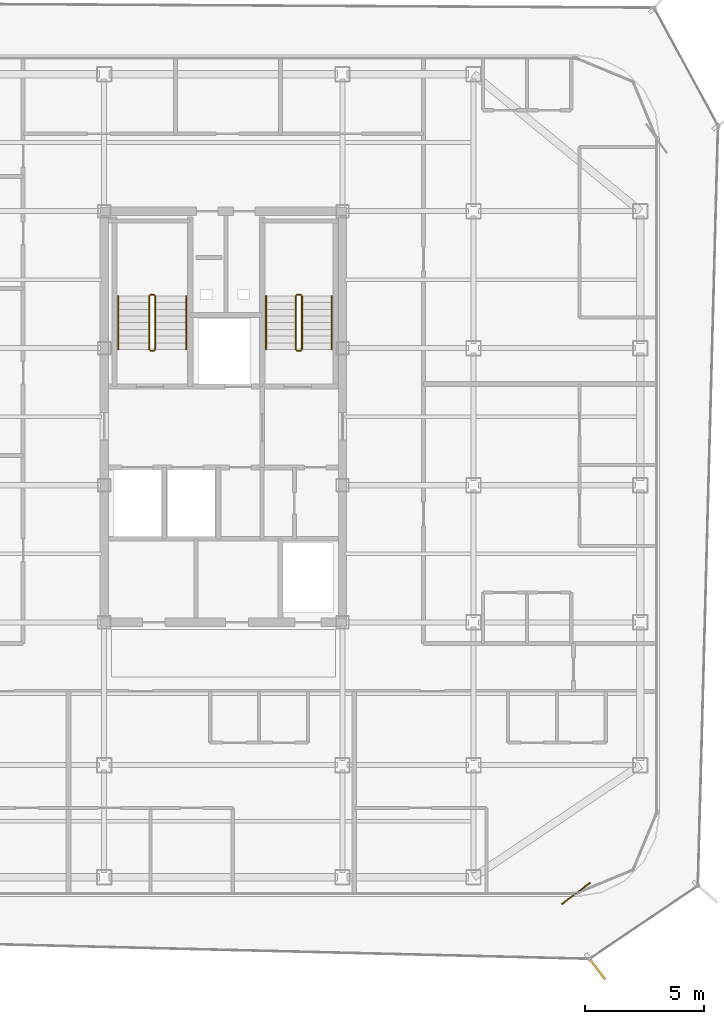
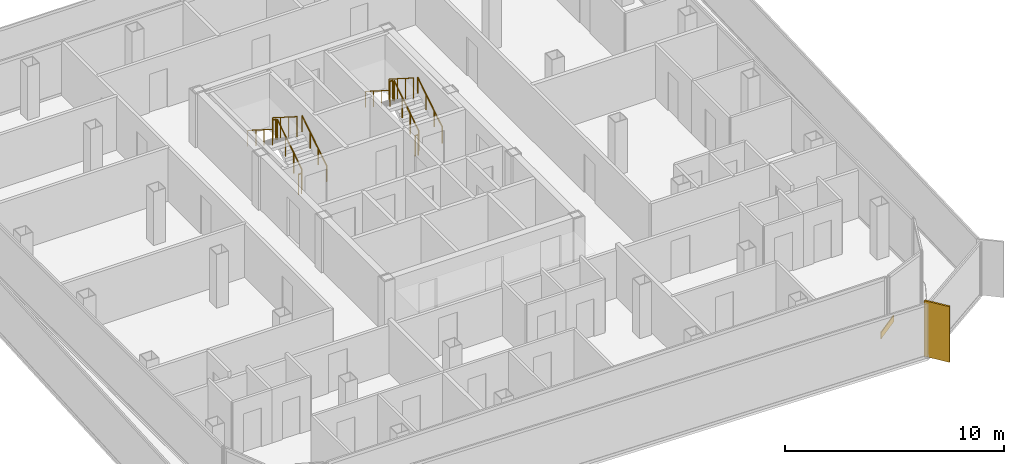
# One storey, part 14 of 15: 12 railings, 1 covering, 1 shading device.
"""IFC4 building model written with IfcOpenShell, lengths in metres."""

from ifc_helpers import new_model, si_unit, direction, frame, origin, origin_2d, place, context, subcontext, project, spatial, rectangle, circle, extrude, source, transform, mapped, material, layer, layer_set, type_object, element, save


model = new_model("IFC4")

# Units and contexts
model_context = context("Model", 3, precision=1e-05, world=origin(), true_north=direction((0.0, 1.0)))
body_context = subcontext(model_context, "Body", "Model", "MODEL_VIEW")
ifc_project = project(units=[si_unit("LENGTHUNIT", "METRE"), si_unit("AREAUNIT", "SQUARE_METRE"), si_unit("VOLUMEUNIT", "CUBIC_METRE"), si_unit("PLANEANGLEUNIT", "RADIAN"), si_unit("MASSUNIT", "GRAM", prefix="KILO")], contexts=[model_context])

# Site, building, storey
site_placement = place(None, origin())
site = spatial("IfcSite", under=ifc_project, at=site_placement, CompositionType="ELEMENT")
building_placement = place(site_placement, origin())
building = spatial("IfcBuilding", under=site, at=building_placement, Name="Kolveth Station Tower", CompositionType="ELEMENT")
storey_placement = place(building_placement, frame((0.0, 0.0, 252.10009765625)))
storey = spatial("IfcBuildingStorey", under=building, at=storey_placement, Name="L72", CompositionType="ELEMENT", Elevation=252.10009765625)

# Railings
ifc_material_1 = material(Name="Painted Steel S355 balustrade", Category="steel")
railing_type_1 = type_object("IfcRailingType", Name="Guard_GR2", PredefinedType="BALUSTRADE", material=ifc_material_1)
railing_1_placement = place(storey_placement, frame((20.64990234375, 22.949951171875, 0.177734375)))
element("IfcRailing", 1, at=railing_1_placement, inside=storey, type_object=railing_type_1, Name="L72 ST1 stair guard 1", PredefinedType="BALUSTRADE", context=body_context, shape_type="SweptSolid", body=[
    extrude(circle(Radius=0.02392578125, at=origin_2d()), frame((0.0, 0.0, 1.1259765625), z_axis=(0.0, 0.8442293374, 0.53598211339), x_axis=(-1.0, 0.0, 0.0)), (0.0, 0.0, 1.0), 2.6533203125),
    extrude(circle(Radius=0.02099609375, at=origin_2d()), origin(), (0.0, 0.0, 1.0), 1.101806640625),
    extrude(circle(Radius=0.02099609375, at=origin_2d()), frame((0.0, 0.74658203125, 0.47412109375)), (0.0, 0.0, 1.0), 1.101806640625),
    extrude(circle(Radius=0.02099609375, at=origin_2d()), frame((0.0, 1.493408203125, 0.947998046875)), (0.0, 0.0, 1.0), 1.101806640625),
    extrude(circle(Radius=0.02099609375, at=origin_2d()), frame((0.0, 2.239990234375, 1.422119140625)), (0.0, 0.0, 1.0), 1.101806640625),
])
railing_2_placement = place(storey_placement, frame((20.60009765625, 25.239990234375, 1.599853515625)))
element("IfcRailing", 2, at=railing_2_placement, inside=storey, type_object=railing_type_1, Name="L72 ST1 stair guard 2", PredefinedType="BALUSTRADE", context=body_context, shape_type="SweptSolid", body=[
    extrude(circle(Radius=0.02392578125, at=origin_2d()), frame((0.0, 0.0, 1.1259765625), z_axis=(-1.0, 0.0, 0.0), x_axis=(0.0, -1.0, 0.0)), (0.0, 0.0, 1.0), 0.16015625),
    extrude(circle(Radius=0.02099609375, at=origin_2d()), origin(), (0.0, 0.0, 1.0), 1.101806640625),
    extrude(circle(Radius=0.02099609375, at=origin_2d()), frame((-0.16015625, 0.0, 0.0)), (0.0, 0.0, 1.0), 1.101806640625),
])
railing_3_placement = place(storey_placement, frame((20.389892578125, 25.18994140625, 1.777587890625)))
element("IfcRailing", 3, at=railing_3_placement, inside=storey, type_object=railing_type_1, Name="L72 ST1 stair guard 3", PredefinedType="BALUSTRADE", context=body_context, shape_type="SweptSolid", body=[
    extrude(circle(Radius=0.02392578125, at=origin_2d()), frame((0.0, 0.0, 1.1259765625), z_axis=(0.0, -0.84418770128, 0.536047689118), x_axis=(1.0, 0.0, 0.0)), (0.0, 0.0, 1.0), 2.6533203125),
    extrude(circle(Radius=0.02099609375, at=origin_2d()), origin(), (0.0, 0.0, 1.0), 1.101806640625),
    extrude(circle(Radius=0.02099609375, at=origin_2d()), frame((0.0, -0.74658203125, 0.47412109375)), (0.0, 0.0, 1.0), 1.101806640625),
    extrude(circle(Radius=0.02099609375, at=origin_2d()), frame((0.0, -1.493408203125, 0.9482421875)), (0.0, 0.0, 1.0), 1.101806640625),
    extrude(circle(Radius=0.02099609375, at=origin_2d()), frame((0.0, -2.239990234375, 1.42236328125)), (0.0, 0.0, 1.0), 1.101806640625),
])
railing_4_placement = place(storey_placement, frame((20.60009765625, 22.89990234375, 0.0)))
element("IfcRailing", 4, at=railing_4_placement, inside=storey, type_object=railing_type_1, Name="L72 ST1 stair guard 4", PredefinedType="BALUSTRADE", context=body_context, shape_type="SweptSolid", body=[
    extrude(circle(Radius=0.02392578125, at=origin_2d()), frame((0.0, 0.0, 1.1259765625), z_axis=(-1.0, 0.0, 0.0), x_axis=(0.0, -1.0, 0.0)), (0.0, 0.0, 1.0), 0.16015625),
    extrude(circle(Radius=0.02099609375, at=origin_2d()), origin(), (0.0, 0.0, 1.0), 1.101806640625),
    extrude(circle(Radius=0.02099609375, at=origin_2d()), frame((-0.16015625, 0.0, 0.0)), (0.0, 0.0, 1.0), 1.101806640625),
])
railing_5_placement = place(storey_placement, frame((26.800048828125, 22.949951171875, 0.177734375)))
element("IfcRailing", 5, at=railing_5_placement, inside=storey, type_object=railing_type_1, Name="L72 ST2 stair guard 1", PredefinedType="BALUSTRADE", context=body_context, shape_type="SweptSolid", body=[
    extrude(circle(Radius=0.02392578125, at=origin_2d()), frame((0.0, 0.0, 1.1259765625), z_axis=(0.0, 0.8442293374, 0.53598211339), x_axis=(-1.0, 0.0, 0.0)), (0.0, 0.0, 1.0), 2.6533203125),
    extrude(circle(Radius=0.02099609375, at=origin_2d()), origin(), (0.0, 0.0, 1.0), 1.101806640625),
    extrude(circle(Radius=0.02099609375, at=origin_2d()), frame((0.0, 0.74658203125, 0.47412109375)), (0.0, 0.0, 1.0), 1.101806640625),
    extrude(circle(Radius=0.02099609375, at=origin_2d()), frame((0.0, 1.493408203125, 0.947998046875)), (0.0, 0.0, 1.0), 1.101806640625),
    extrude(circle(Radius=0.02099609375, at=origin_2d()), frame((0.0, 2.239990234375, 1.422119140625)), (0.0, 0.0, 1.0), 1.101806640625),
])
railing_6_placement = place(storey_placement, frame((26.75, 25.239990234375, 1.599853515625)))
element("IfcRailing", 6, at=railing_6_placement, inside=storey, type_object=railing_type_1, Name="L72 ST2 stair guard 2", PredefinedType="BALUSTRADE", context=body_context, shape_type="SweptSolid", body=[
    extrude(circle(Radius=0.02392578125, at=origin_2d()), frame((0.0, 0.0, 1.1259765625), z_axis=(-1.0, 0.0, 0.0), x_axis=(0.0, -1.0, 0.0)), (0.0, 0.0, 1.0), 0.159912109375),
    extrude(circle(Radius=0.02099609375, at=origin_2d()), origin(), (0.0, 0.0, 1.0), 1.101806640625),
    extrude(circle(Radius=0.02099609375, at=origin_2d()), frame((-0.159912109375, 0.0, 0.0)), (0.0, 0.0, 1.0), 1.101806640625),
])
railing_7_placement = place(storey_placement, frame((26.5400390625, 25.18994140625, 1.777587890625)))
element("IfcRailing", 7, at=railing_7_placement, inside=storey, type_object=railing_type_1, Name="L72 ST2 stair guard 3", PredefinedType="BALUSTRADE", context=body_context, shape_type="SweptSolid", body=[
    extrude(circle(Radius=0.02392578125, at=origin_2d()), frame((0.0, 0.0, 1.1259765625), z_axis=(0.0, -0.84418770128, 0.536047689118), x_axis=(1.0, 0.0, 0.0)), (0.0, 0.0, 1.0), 2.6533203125),
    extrude(circle(Radius=0.02099609375, at=origin_2d()), origin(), (0.0, 0.0, 1.0), 1.101806640625),
    extrude(circle(Radius=0.02099609375, at=origin_2d()), frame((0.0, -0.74658203125, 0.47412109375)), (0.0, 0.0, 1.0), 1.101806640625),
    extrude(circle(Radius=0.02099609375, at=origin_2d()), frame((0.0, -1.493408203125, 0.9482421875)), (0.0, 0.0, 1.0), 1.101806640625),
    extrude(circle(Radius=0.02099609375, at=origin_2d()), frame((0.0, -2.239990234375, 1.42236328125)), (0.0, 0.0, 1.0), 1.101806640625),
])
railing_8_placement = place(storey_placement, frame((26.75, 22.89990234375, 0.0)))
element("IfcRailing", 8, at=railing_8_placement, inside=storey, type_object=railing_type_1, Name="L72 ST2 stair guard 4", PredefinedType="BALUSTRADE", context=body_context, shape_type="SweptSolid", body=[
    extrude(circle(Radius=0.02392578125, at=origin_2d()), frame((0.0, 0.0, 1.1259765625), z_axis=(-1.0, 0.0, 0.0), x_axis=(0.0, -1.0, 0.0)), (0.0, 0.0, 1.0), 0.159912109375),
    extrude(circle(Radius=0.02099609375, at=origin_2d()), origin(), (0.0, 0.0, 1.0), 1.101806640625),
    extrude(circle(Radius=0.02099609375, at=origin_2d()), frame((-0.159912109375, 0.0, 0.0)), (0.0, 0.0, 1.0), 1.101806640625),
])
ifc_material_2 = material(Name="Brushed stainless steel", Category="steel")
railing_type_2 = type_object("IfcRailingType", Name="Handrail_HR1", PredefinedType="HANDRAIL", material=ifc_material_2)
railing_9_placement = place(storey_placement, frame((21.949951171875, 22.949951171875, 0.177734375)))
element("IfcRailing", 9, at=railing_9_placement, inside=storey, type_object=railing_type_2, Name="L72 ST1 stair handrail 1", PredefinedType="HANDRAIL", context=body_context, shape_type="SweptSolid", body=[
    extrude(circle(Radius=0.02392578125, at=origin_2d()), frame((0.0, 0.0, 0.8759765625), z_axis=(0.0, 0.8442293374, 0.53598211339), x_axis=(-1.0, 0.0, 0.0)), (0.0, 0.0, 1.0), 2.6533203125),
    extrude(circle(Radius=0.02099609375, at=origin_2d()), origin(), (0.0, 0.0, 1.0), 0.851806640625),
    extrude(circle(Radius=0.02099609375, at=origin_2d()), frame((0.0, 0.74658203125, 0.47412109375)), (0.0, 0.0, 1.0), 0.851806640625),
    extrude(circle(Radius=0.02099609375, at=origin_2d()), frame((0.0, 1.493408203125, 0.947998046875)), (0.0, 0.0, 1.0), 0.851806640625),
    extrude(circle(Radius=0.02099609375, at=origin_2d()), frame((0.0, 2.239990234375, 1.422119140625)), (0.0, 0.0, 1.0), 0.851806640625),
])
railing_10_placement = place(storey_placement, frame((19.090087890625, 25.18994140625, 1.777587890625)))
element("IfcRailing", 10, at=railing_10_placement, inside=storey, type_object=railing_type_2, Name="L72 ST1 stair handrail 2", PredefinedType="HANDRAIL", context=body_context, shape_type="SweptSolid", body=[
    extrude(circle(Radius=0.02392578125, at=origin_2d()), frame((0.0, 0.0, 0.8759765625), z_axis=(0.0, -0.84418770128, 0.536047689118), x_axis=(1.0, 0.0, 0.0)), (0.0, 0.0, 1.0), 2.6533203125),
    extrude(circle(Radius=0.02099609375, at=origin_2d()), origin(), (0.0, 0.0, 1.0), 0.851806640625),
    extrude(circle(Radius=0.02099609375, at=origin_2d()), frame((0.0, -0.74658203125, 0.47412109375)), (0.0, 0.0, 1.0), 0.851806640625),
    extrude(circle(Radius=0.02099609375, at=origin_2d()), frame((0.0, -1.493408203125, 0.9482421875)), (0.0, 0.0, 1.0), 0.851806640625),
    extrude(circle(Radius=0.02099609375, at=origin_2d()), frame((0.0, -2.239990234375, 1.42236328125)), (0.0, 0.0, 1.0), 0.851806640625),
])
railing_11_placement = place(storey_placement, frame((28.050048828125, 22.949951171875, 0.177734375)))
element("IfcRailing", 11, at=railing_11_placement, inside=storey, type_object=railing_type_2, Name="L72 ST2 stair handrail 1", PredefinedType="HANDRAIL", context=body_context, shape_type="SweptSolid", body=[
    extrude(circle(Radius=0.02392578125, at=origin_2d()), frame((0.0, 0.0, 0.8759765625), z_axis=(0.0, 0.8442293374, 0.53598211339), x_axis=(-1.0, 0.0, 0.0)), (0.0, 0.0, 1.0), 2.6533203125),
    extrude(circle(Radius=0.02099609375, at=origin_2d()), origin(), (0.0, 0.0, 1.0), 0.851806640625),
    extrude(circle(Radius=0.02099609375, at=origin_2d()), frame((0.0, 0.74658203125, 0.47412109375)), (0.0, 0.0, 1.0), 0.851806640625),
    extrude(circle(Radius=0.02099609375, at=origin_2d()), frame((0.0, 1.493408203125, 0.947998046875)), (0.0, 0.0, 1.0), 0.851806640625),
    extrude(circle(Radius=0.02099609375, at=origin_2d()), frame((0.0, 2.239990234375, 1.422119140625)), (0.0, 0.0, 1.0), 0.851806640625),
])
railing_12_placement = place(storey_placement, frame((25.2900390625, 25.18994140625, 1.777587890625)))
element("IfcRailing", 12, at=railing_12_placement, inside=storey, type_object=railing_type_2, Name="L72 ST2 stair handrail 2", PredefinedType="HANDRAIL", context=body_context, shape_type="SweptSolid", body=[
    extrude(circle(Radius=0.02392578125, at=origin_2d()), frame((0.0, 0.0, 0.8759765625), z_axis=(0.0, -0.84418770128, 0.536047689118), x_axis=(1.0, 0.0, 0.0)), (0.0, 0.0, 1.0), 2.6533203125),
    extrude(circle(Radius=0.02099609375, at=origin_2d()), origin(), (0.0, 0.0, 1.0), 0.851806640625),
    extrude(circle(Radius=0.02099609375, at=origin_2d()), frame((0.0, -0.74658203125, 0.47412109375)), (0.0, 0.0, 1.0), 0.851806640625),
    extrude(circle(Radius=0.02099609375, at=origin_2d()), frame((0.0, -1.493408203125, 0.9482421875)), (0.0, 0.0, 1.0), 0.851806640625),
    extrude(circle(Radius=0.02099609375, at=origin_2d()), frame((0.0, -2.239990234375, 1.42236328125)), (0.0, 0.0, 1.0), 0.851806640625),
])

# Shading device
ifc_material_3 = material(Name="Black anodized aluminium 6063-T6", Category="aluminium")
shading_device_type = type_object("IfcShadingDeviceType", Name="FIN_VF1", PredefinedType="USERDEFINED", material=ifc_material_3)
shared_shape_1 = source(origin(), body_context, "Body", "SweptSolid", [
    extrude(rectangle(XDim=1.25, YDim=0.090087890625, at=origin_2d()), origin(), (0.0, 0.0, 1.0), 3.10009765625),
])
shading_device_placement = place(storey_placement, frame((39.14208984375, -2.987060546875, -0.000244140625), z_axis=(0.0, 0.0, 1.0), x_axis=(0.604042884784, -0.796951813689, 0.0)))
element("IfcShadingDevice", 13, at=shading_device_placement, inside=storey, type_object=shading_device_type, Name="L72 Dark-Aluminium Solar Fin 1", ObjectType="FIN", PredefinedType="USERDEFINED", context=body_context, shape_type="MappedRepresentation", body=[
    mapped(shared_shape_1, transform((0.0, 0.0, 0.0), x_axis=(1.0, 0.0, 0.0), y_axis=(0.0, 1.0, 0.0), z_axis=(0.0, 0.0, 1.0), scale=1.0)),
])

# Covering
ifc_material_4 = material(Name="Charcoal anodized aluminium spandrel cladding", Category="aluminium")
ifc_layer = layer(ifc_material_4, 0.044921875)
ifc_layer_set = layer_set([ifc_layer], Name="Charcoal anodized aluminium spandrel cladding")
covering_type = type_object("IfcCoveringType", Name="Clad_CD1", PredefinedType="CLADDING", material=ifc_layer_set)
shared_shape_2 = source(origin(), body_context, "Body", "SweptSolid", [
    extrude(rectangle(XDim=1.5, YDim=0.044921875, at=origin_2d()), origin(), (0.0, 0.0, 1.0), 0.360107421875),
])
covering_placement = place(storey_placement, frame((38.300048828125, 0.1201171875, 0.0), z_axis=(0.0, 0.0, 1.0), x_axis=(0.796951813689, 0.604042884784, 0.0)))
element("IfcCovering", 14, at=covering_placement, inside=storey, type_object=covering_type, Name="L72 Spandrel Edge Cladding 1", PredefinedType="CLADDING", context=body_context, shape_type="MappedRepresentation", body=[
    mapped(shared_shape_2, transform((0.0, 0.0, 0.0), x_axis=(1.0, 0.0, 0.0), y_axis=(0.0, 1.0, 0.0), z_axis=(0.0, 0.0, 1.0), scale=1.0)),
])

save(model, "model.ifc")
